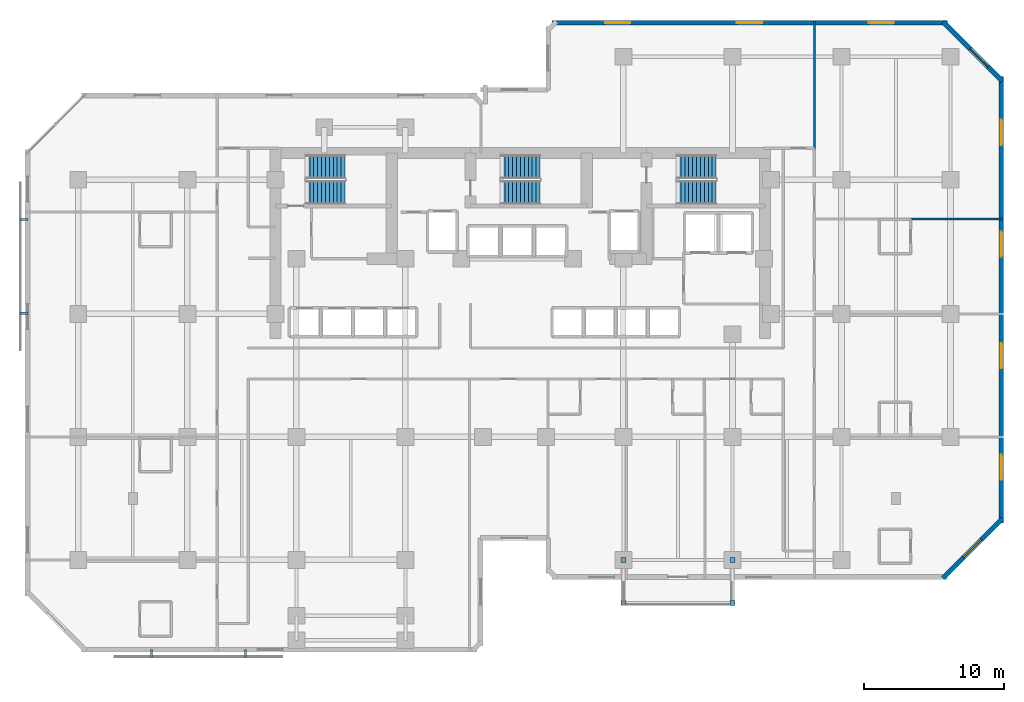
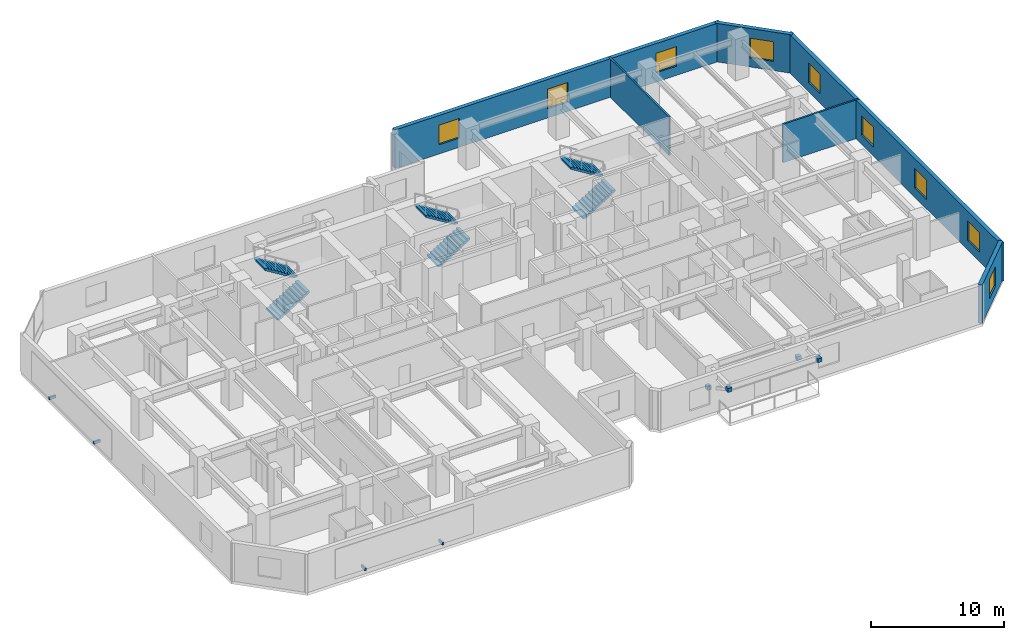
# One storey, part 10 of 12: 9 windows, 8 discrete accessories, 6 stair flights, 6 walls, 9 openings, 3 elements without a shape of their own.
"""IFC4 building model written with IfcOpenShell, lengths in metres."""

from ifc_helpers import new_model, si_unit, direction, frame, frame_2d, origin, origin_2d, place, context, subcontext, project, spatial, polyline, rectangle, outline, extrude, material, layer, layer_set, type_object, element, fill, aggregate, save


model = new_model("IFC4")

# Units and contexts
model_context = context("Model", 3, precision=1e-05, world=origin(), true_north=direction((0.0, 1.0)))
body_context = subcontext(model_context, "Body", "Model", "MODEL_VIEW")
ifc_project = project(units=[si_unit("LENGTHUNIT", "METRE"), si_unit("AREAUNIT", "SQUARE_METRE"), si_unit("VOLUMEUNIT", "CUBIC_METRE"), si_unit("PLANEANGLEUNIT", "RADIAN"), si_unit("MASSUNIT", "GRAM", prefix="KILO")], contexts=[model_context])

# Site, building, storey
site_placement = place(None, origin())
site = spatial("IfcSite", under=ifc_project, at=site_placement, CompositionType="ELEMENT")
building_placement = place(site_placement, origin())
building = spatial("IfcBuilding", under=site, at=building_placement, Name="Kestravale Grand Hotel", CompositionType="ELEMENT")
storey_placement = place(building_placement, frame((0.0, 0.0, 110.800048828125)))
storey = spatial("IfcBuildingStorey", under=building, at=storey_placement, Name="L27", CompositionType="ELEMENT", Elevation=110.800048828125)

# Wall, opening, window
ifc_material_1 = material(Name="Precast concrete f'c 45 MPa", Category="concrete")
ifc_layer_1 = layer(ifc_material_1, 0.340087890625)
ifc_layer_set_1 = layer_set([ifc_layer_1], Name="EW-PREC-340")
wall_type_1 = type_object("IfcWallType", Name="EW-PREC-340", PredefinedType="SOLIDWALL", material=ifc_layer_set_1)
wall_1_placement = place(storey_placement, frame((69.651611328125, 9.891845703125, 0.0), z_axis=(0.0, 0.0, 1.0), x_axis=(0.707106781187, 0.707106781187, 0.0)))
wall_1 = element("IfcWall", 1, at=wall_1_placement, inside=storey, type_object=wall_type_1, Name="L27 fluted precast facade wall 8", PredefinedType="SOLIDWALL", context=body_context, shape_type="SweptSolid", body=[
    extrude(rectangle(XDim=6.019775390625, YDim=0.340087890625, at=frame_2d((3.009765625, 0.0))), origin(), (0.0, 0.0, 1.0), 3.5400390625),
])
opening_1_placement = place(wall_1_placement, frame((2.10986328125, 0.0, 0.85009765625)))
opening_1 = element("IfcOpeningElement", 2, at=opening_1_placement, cuts=wall_1, Name="Opening W-GUEST-1800", PredefinedType="OPENING", context=body_context, shape_type="SweptSolid", body=[
    extrude(rectangle(XDim=1.800048828125, YDim=1.800048828125, at=frame_2d((0.89990234375, 0.89990234375))), frame((0.0, 0.179931640625, 0.0), z_axis=(0.0, -1.0, 0.0), x_axis=(1.0, 0.0, 0.0)), (0.0, 0.0, 1.0), 0.360107421875),
])
ifc_material_2 = material(Name="Insulated low-E double glazing in aluminium frame", Category="aluminium")
window_type = type_object("IfcWindowType", Name="W-GUEST-1800", PartitioningType="DOUBLE_PANEL_VERTICAL", PredefinedType="WINDOW", material=ifc_material_2)
window_1_placement = place(opening_1_placement, origin())
window_1 = element("IfcWindow", 3, at=window_1_placement, inside=storey, type_object=window_type, Name="L27 exterior window 8.1", OverallHeight=1.800048828125, OverallWidth=1.800048828125, PartitioningType="SINGLE_PANEL", PredefinedType="WINDOW", context=body_context, shape_type="SweptSolid", body=[
    extrude(rectangle(XDim=1.800048828125, YDim=1.800048828125, at=frame_2d((0.89990234375, 0.89990234375))), frame((0.0, 0.030029296875, 0.0), z_axis=(0.0, -1.0, 0.0), x_axis=(1.0, 0.0, 0.0)), (0.0, 0.0, 1.0), 0.06005859375),
])
fill(opening_1, window_1)

# Wall, openings, windows
wall_2_placement = place(storey_placement, frame((73.830078125, 13.830078125, 0.0), z_axis=(0.0, 0.0, 1.0), x_axis=(0.0, 1.0, 0.0)))
wall_2 = element("IfcWall", 4, at=wall_2_placement, inside=storey, type_object=wall_type_1, Name="L27 fluted precast facade wall 9", PredefinedType="SOLIDWALL", context=body_context, shape_type="SweptSolid", body=[
    extrude(rectangle(XDim=31.93994140625, YDim=0.340087890625, at=frame_2d((15.969970703125, 0.0))), origin(), (0.0, 0.0, 1.0), 3.5400390625),
])
opening_2_placement = place(wall_2_placement, frame((3.092529296875, 0.0, 0.85009765625)))
opening_2 = element("IfcOpeningElement", 5, at=opening_2_placement, cuts=wall_2, Name="Opening W-GUEST-1800", PredefinedType="OPENING", context=body_context, shape_type="SweptSolid", body=[
    extrude(rectangle(XDim=1.800048828125, YDim=1.800048828125, at=frame_2d((0.89990234375, 0.89990234375))), frame((0.0, 0.179931640625, 0.0), z_axis=(0.0, -1.0, 0.0), x_axis=(1.0, 0.0, 0.0)), (0.0, 0.0, 1.0), 0.360107421875),
])
opening_3_placement = place(wall_2_placement, frame((11.077392578125, 0.0, 0.85009765625)))
opening_3 = element("IfcOpeningElement", 6, at=opening_3_placement, cuts=wall_2, Name="Opening W-GUEST-1800", PredefinedType="OPENING", context=body_context, shape_type="SweptSolid", body=[
    extrude(rectangle(XDim=1.800048828125, YDim=1.800048828125, at=frame_2d((0.89990234375, 0.89990234375))), frame((0.0, 0.179931640625, 0.0), z_axis=(0.0, -1.0, 0.0), x_axis=(1.0, 0.0, 0.0)), (0.0, 0.0, 1.0), 0.360107421875),
])
opening_4_placement = place(wall_2_placement, frame((19.0625, 0.0, 0.85009765625)))
opening_4 = element("IfcOpeningElement", 7, at=opening_4_placement, cuts=wall_2, Name="Opening W-GUEST-1800", PredefinedType="OPENING", context=body_context, shape_type="SweptSolid", body=[
    extrude(rectangle(XDim=1.800048828125, YDim=1.800048828125, at=frame_2d((0.89990234375, 0.89990234375))), frame((0.0, 0.179931640625, 0.0), z_axis=(0.0, -1.0, 0.0), x_axis=(1.0, 0.0, 0.0)), (0.0, 0.0, 1.0), 0.360107421875),
])
opening_5_placement = place(wall_2_placement, frame((27.047607421875, 0.0, 0.85009765625)))
opening_5 = element("IfcOpeningElement", 8, at=opening_5_placement, cuts=wall_2, Name="Opening W-GUEST-1800", PredefinedType="OPENING", context=body_context, shape_type="SweptSolid", body=[
    extrude(rectangle(XDim=1.800048828125, YDim=1.800048828125, at=frame_2d((0.89990234375, 0.89990234375))), frame((0.0, 0.179931640625, 0.0), z_axis=(0.0, -1.0, 0.0), x_axis=(1.0, 0.0, 0.0)), (0.0, 0.0, 1.0), 0.360107421875),
])
window_2_placement = place(opening_2_placement, origin())
window_2 = element("IfcWindow", 9, at=window_2_placement, inside=storey, type_object=window_type, Name="L27 exterior window 9.1", OverallHeight=1.800048828125, OverallWidth=1.800048828125, PartitioningType="SINGLE_PANEL", PredefinedType="WINDOW", context=body_context, shape_type="SweptSolid", body=[
    extrude(rectangle(XDim=1.800048828125, YDim=1.800048828125, at=frame_2d((0.89990234375, 0.89990234375))), frame((0.0, 0.030029296875, 0.0), z_axis=(0.0, -1.0, 0.0), x_axis=(1.0, 0.0, 0.0)), (0.0, 0.0, 1.0), 0.06005859375),
])
fill(opening_2, window_2)
window_3_placement = place(opening_3_placement, origin())
window_3 = element("IfcWindow", 10, at=window_3_placement, inside=storey, type_object=window_type, Name="L27 exterior window 9.2", OverallHeight=1.800048828125, OverallWidth=1.800048828125, PartitioningType="SINGLE_PANEL", PredefinedType="WINDOW", context=body_context, shape_type="SweptSolid", body=[
    extrude(rectangle(XDim=1.800048828125, YDim=1.800048828125, at=frame_2d((0.89990234375, 0.89990234375))), frame((0.0, 0.030029296875, 0.0), z_axis=(0.0, -1.0, 0.0), x_axis=(1.0, 0.0, 0.0)), (0.0, 0.0, 1.0), 0.06005859375),
])
fill(opening_3, window_3)
window_4_placement = place(opening_4_placement, origin())
window_4 = element("IfcWindow", 11, at=window_4_placement, inside=storey, type_object=window_type, Name="L27 exterior window 9.3", OverallHeight=1.800048828125, OverallWidth=1.800048828125, PartitioningType="SINGLE_PANEL", PredefinedType="WINDOW", context=body_context, shape_type="SweptSolid", body=[
    extrude(rectangle(XDim=1.800048828125, YDim=1.800048828125, at=frame_2d((0.89990234375, 0.89990234375))), frame((0.0, 0.030029296875, 0.0), z_axis=(0.0, -1.0, 0.0), x_axis=(1.0, 0.0, 0.0)), (0.0, 0.0, 1.0), 0.06005859375),
])
fill(opening_4, window_4)
window_5_placement = place(opening_5_placement, origin())
window_5 = element("IfcWindow", 12, at=window_5_placement, inside=storey, type_object=window_type, Name="L27 exterior window 9.4", OverallHeight=1.800048828125, OverallWidth=1.800048828125, PartitioningType="SINGLE_PANEL", PredefinedType="WINDOW", context=body_context, shape_type="SweptSolid", body=[
    extrude(rectangle(XDim=1.800048828125, YDim=1.800048828125, at=frame_2d((0.89990234375, 0.89990234375))), frame((0.0, 0.030029296875, 0.0), z_axis=(0.0, -1.0, 0.0), x_axis=(1.0, 0.0, 0.0)), (0.0, 0.0, 1.0), 0.06005859375),
])
fill(opening_5, window_5)

# Wall, opening, window
wall_3_placement = place(storey_placement, frame((73.908203125, 45.451416015625, 0.0), z_axis=(0.0, 0.0, 1.0), x_axis=(-0.707106781187, 0.707106781187, 0.0)))
wall_3 = element("IfcWall", 13, at=wall_3_placement, inside=storey, type_object=wall_type_1, Name="L27 fluted precast facade wall 10", PredefinedType="SOLIDWALL", context=body_context, shape_type="SweptSolid", body=[
    extrude(rectangle(XDim=6.019775390625, YDim=0.340087890625, at=frame_2d((3.009765625, 0.0))), origin(), (0.0, 0.0, 1.0), 3.5400390625),
])
opening_6_placement = place(wall_3_placement, frame((1.4599609375, 0.0, 0.85009765625)))
opening_6 = element("IfcOpeningElement", 14, at=opening_6_placement, cuts=wall_3, Name="Opening W-GUEST-1800", PredefinedType="OPENING", context=body_context, shape_type="SweptSolid", body=[
    extrude(rectangle(XDim=1.800048828125, YDim=1.800048828125, at=frame_2d((0.89990234375, 0.89990234375))), frame((0.0, 0.179931640625, 0.0), z_axis=(0.0, -1.0, 0.0), x_axis=(1.0, 0.0, 0.0)), (0.0, 0.0, 1.0), 0.360107421875),
])
window_6_placement = place(opening_6_placement, origin())
window_6 = element("IfcWindow", 15, at=window_6_placement, inside=storey, type_object=window_type, Name="L27 exterior window 10.1", OverallHeight=1.800048828125, OverallWidth=1.800048828125, PartitioningType="SINGLE_PANEL", PredefinedType="WINDOW", context=body_context, shape_type="SweptSolid", body=[
    extrude(rectangle(XDim=1.800048828125, YDim=1.800048828125, at=frame_2d((0.89990234375, 0.89990234375))), frame((0.0, 0.030029296875, 0.0), z_axis=(0.0, -1.0, 0.0), x_axis=(1.0, 0.0, 0.0)), (0.0, 0.0, 1.0), 0.06005859375),
])
fill(opening_6, window_6)

# Wall, openings, windows
wall_4_placement = place(storey_placement, frame((69.969970703125, 49.6298828125, 0.0), z_axis=(0.0, 0.0, 1.0), x_axis=(-1.0, 0.0, 0.0)))
wall_4 = element("IfcWall", 16, at=wall_4_placement, inside=storey, type_object=wall_type_1, Name="L27 fluted precast facade wall 11", PredefinedType="SOLIDWALL", context=body_context, shape_type="SweptSolid", body=[
    extrude(rectangle(XDim=28.2900390625, YDim=0.340087890625, at=frame_2d((14.14501953125, 0.0))), origin(), (0.0, 0.0, 1.0), 3.5400390625),
])
opening_7_placement = place(wall_4_placement, frame((3.81494140625, 0.0, 0.85009765625)))
opening_7 = element("IfcOpeningElement", 17, at=opening_7_placement, cuts=wall_4, Name="Opening W-GUEST-1800", PredefinedType="OPENING", context=body_context, shape_type="SweptSolid", body=[
    extrude(rectangle(XDim=1.800048828125, YDim=1.800048828125, at=frame_2d((0.89990234375, 0.89990234375))), frame((0.0, 0.179931640625, 0.0), z_axis=(0.0, -1.0, 0.0), x_axis=(1.0, 0.0, 0.0)), (0.0, 0.0, 1.0), 0.360107421875),
])
opening_8_placement = place(wall_4_placement, frame((13.2451171875, 0.0, 0.85009765625)))
opening_8 = element("IfcOpeningElement", 18, at=opening_8_placement, cuts=wall_4, Name="Opening W-GUEST-1800", PredefinedType="OPENING", context=body_context, shape_type="SweptSolid", body=[
    extrude(rectangle(XDim=1.800048828125, YDim=1.800048828125, at=frame_2d((0.89990234375, 0.89990234375))), frame((0.0, 0.179931640625, 0.0), z_axis=(0.0, -1.0, 0.0), x_axis=(1.0, 0.0, 0.0)), (0.0, 0.0, 1.0), 0.360107421875),
])
opening_9_placement = place(wall_4_placement, frame((22.675048828125, 0.0, 0.85009765625)))
opening_9 = element("IfcOpeningElement", 19, at=opening_9_placement, cuts=wall_4, Name="Opening W-GUEST-1800", PredefinedType="OPENING", context=body_context, shape_type="SweptSolid", body=[
    extrude(rectangle(XDim=1.800048828125, YDim=1.800048828125, at=frame_2d((0.89990234375, 0.89990234375))), frame((0.0, 0.179931640625, 0.0), z_axis=(0.0, -1.0, 0.0), x_axis=(1.0, 0.0, 0.0)), (0.0, 0.0, 1.0), 0.360107421875),
])
window_7_placement = place(opening_7_placement, origin())
window_7 = element("IfcWindow", 20, at=window_7_placement, inside=storey, type_object=window_type, Name="L27 exterior window 11.1", OverallHeight=1.800048828125, OverallWidth=1.800048828125, PartitioningType="SINGLE_PANEL", PredefinedType="WINDOW", context=body_context, shape_type="SweptSolid", body=[
    extrude(rectangle(XDim=1.800048828125, YDim=1.800048828125, at=frame_2d((0.89990234375, 0.89990234375))), frame((0.0, 0.030029296875, 0.0), z_axis=(0.0, -1.0, 0.0), x_axis=(1.0, 0.0, 0.0)), (0.0, 0.0, 1.0), 0.06005859375),
])
fill(opening_7, window_7)
window_8_placement = place(opening_8_placement, origin())
window_8 = element("IfcWindow", 21, at=window_8_placement, inside=storey, type_object=window_type, Name="L27 exterior window 11.2", OverallHeight=1.800048828125, OverallWidth=1.800048828125, PartitioningType="SINGLE_PANEL", PredefinedType="WINDOW", context=body_context, shape_type="SweptSolid", body=[
    extrude(rectangle(XDim=1.800048828125, YDim=1.800048828125, at=frame_2d((0.89990234375, 0.89990234375))), frame((0.0, 0.030029296875, 0.0), z_axis=(0.0, -1.0, 0.0), x_axis=(1.0, 0.0, 0.0)), (0.0, 0.0, 1.0), 0.06005859375),
])
fill(opening_8, window_8)
window_9_placement = place(opening_9_placement, origin())
window_9 = element("IfcWindow", 22, at=window_9_placement, inside=storey, type_object=window_type, Name="L27 exterior window 11.3", OverallHeight=1.800048828125, OverallWidth=1.800048828125, PartitioningType="SINGLE_PANEL", PredefinedType="WINDOW", context=body_context, shape_type="SweptSolid", body=[
    extrude(rectangle(XDim=1.800048828125, YDim=1.800048828125, at=frame_2d((0.89990234375, 0.89990234375))), frame((0.0, 0.030029296875, 0.0), z_axis=(0.0, -1.0, 0.0), x_axis=(1.0, 0.0, 0.0)), (0.0, 0.0, 1.0), 0.06005859375),
])
fill(opening_9, window_9)

# Walls
ifc_material_3 = material(Name="Double-stud STC 52 acoustic demising partition", Category="other")
ifc_layer_2 = layer(ifc_material_3, 0.14990234375)
ifc_layer_set_2 = layer_set([ifc_layer_2], Name="IW-UNIT-150")
wall_type_2 = type_object("IfcWallType", Name="IW-UNIT-150", PredefinedType="PARTITIONING", material=ifc_layer_set_2)
wall_5_placement = place(storey_placement, frame((60.4599609375, 40.64990234375, 0.0), z_axis=(0.0, 0.0, 1.0), x_axis=(0.0, 1.0, 0.0)))
element("IfcWall", 23, at=wall_5_placement, inside=storey, type_object=wall_type_2, Name="W-L27-NGE-E", PredefinedType="PARTITIONING", context=body_context, shape_type="SweptSolid", body=[
    extrude(rectangle(XDim=9.130126953125, YDim=0.14990234375, at=frame_2d((4.56494140625, 0.0))), origin(), (0.0, 0.0, 1.0), 3.5400390625),
])
wall_6_placement = place(storey_placement, frame((67.35009765625, 35.60009765625, 0.0), z_axis=(0.0, 0.0, 1.0), x_axis=(1.0, 0.0, 0.0)))
element("IfcWall", 24, at=wall_6_placement, inside=storey, type_object=wall_type_2, Name="W-L27-EW-3", PredefinedType="PARTITIONING", context=body_context, shape_type="SweptSolid", body=[
    extrude(rectangle(XDim=6.6298828125, YDim=0.14990234375, at=frame_2d((3.31494140625, 0.0))), origin(), (0.0, 0.0, 1.0), 3.5400390625),
])

# Stair, stair flights
ifc_material_4 = material(Name="Concrete f'c 45 MPa", Category="concrete")
stair_type = type_object("IfcStairType", Name="ST-CORE-380", PredefinedType="HALF_TURN_STAIR", material=ifc_material_4)
stair_1_placement = place(storey_placement, origin())
stair_1 = element("IfcStair", 25, at=stair_1_placement, inside=storey, type_object=stair_type, Name="L27 ST-1", PredefinedType="HALF_TURN_STAIR")
ifc_material_5 = material(Name="Concrete f'c 45 MPa", Category="concrete")
stair_flight_type = type_object("IfcStairFlightType", Name="STF-CORE-380", PredefinedType="STRAIGHT", material=ifc_material_5)
stair_flight_1_placement = place(storey_placement, frame((24.080078125, 37.489990234375, 0.0), z_axis=(0.0, 0.0, 1.0), x_axis=(1.0, 0.0, 0.0)))
stair_flight_1 = element("IfcStairFlight", 26, at=stair_flight_1_placement, type_object=stair_flight_type, Name="ST-1 flight 1", NumberOfRisers=11, NumberOfTreads=10, PredefinedType="STRAIGHT", RiserHeight=0.172727273, TreadLength=0.28, context=body_context, shape_type="SweptSolid", body=[
    extrude(outline(polyline([(0.0, 0.0), (0.0, 0.172607421875), (0.280029296875, 0.172607421875), (0.280029296875, 0.345458984375), (0.56005859375, 0.345458984375), (0.56005859375, 0.51806640625), (0.840087890625, 0.51806640625), (0.840087890625, 0.69091796875), (1.1201171875, 0.69091796875), (1.1201171875, 0.863525390625), (1.39990234375, 0.863525390625), (1.39990234375, 1.036376953125), (1.679931640625, 1.036376953125), (1.679931640625, 1.208984375), (1.9599609375, 1.208984375), (1.9599609375, 1.3818359375), (2.239990234375, 1.3818359375), (2.239990234375, 1.554443359375), (2.52001953125, 1.554443359375), (2.52001953125, 1.727294921875), (2.800048828125, 1.727294921875), (2.800048828125, 1.89990234375), (2.800048828125, 1.551025390625), (0.285400390625, 0.0), (0.0, 0.0)])), frame((0.0, 0.83984375, 0.0), z_axis=(0.0, -1.0, 0.0), x_axis=(1.0, 0.0, 0.0)), (0.0, 0.0, 1.0), 1.679931640625),
])
stair_flight_2_placement = place(storey_placement, frame((26.8798828125, 39.320068359375, 1.89990234375), z_axis=(0.0, 0.0, 1.0), x_axis=(-1.0, 0.0, 0.0)))
stair_flight_2 = element("IfcStairFlight", 27, at=stair_flight_2_placement, type_object=stair_flight_type, Name="ST-1 flight 2", NumberOfRisers=11, NumberOfTreads=10, PredefinedType="STRAIGHT", RiserHeight=0.172727273, TreadLength=0.28, context=body_context, shape_type="SweptSolid", body=[
    extrude(outline(polyline([(0.0, 0.0), (0.0, 0.172607421875), (0.280029296875, 0.172607421875), (0.280029296875, 0.345458984375), (0.56005859375, 0.345458984375), (0.56005859375, 0.51806640625), (0.840087890625, 0.51806640625), (0.840087890625, 0.69091796875), (1.1201171875, 0.69091796875), (1.1201171875, 0.863525390625), (1.39990234375, 0.863525390625), (1.39990234375, 1.036376953125), (1.679931640625, 1.036376953125), (1.679931640625, 1.208984375), (1.9599609375, 1.208984375), (1.9599609375, 1.3818359375), (2.239990234375, 1.3818359375), (2.239990234375, 1.554443359375), (2.52001953125, 1.554443359375), (2.52001953125, 1.727294921875), (2.800048828125, 1.727294921875), (2.800048828125, 1.89990234375), (2.800048828125, 1.551025390625), (0.285400390625, 0.0), (0.0, 0.0)])), frame((0.0, 0.83984375, 0.0), z_axis=(0.0, -1.0, 0.0), x_axis=(1.0, 0.0, 0.0)), (0.0, 0.0, 1.0), 1.679931640625),
])
aggregate(stair_1, [stair_flight_1, stair_flight_2])

stair_2_placement = place(storey_placement, origin())
stair_2 = element("IfcStair", 28, at=stair_2_placement, inside=storey, type_object=stair_type, Name="L27 ST-2", PredefinedType="HALF_TURN_STAIR")
stair_flight_3_placement = place(storey_placement, frame((38.030029296875, 37.489990234375, 0.0), z_axis=(0.0, 0.0, 1.0), x_axis=(1.0, 0.0, 0.0)))
stair_flight_3 = element("IfcStairFlight", 29, at=stair_flight_3_placement, type_object=stair_flight_type, Name="ST-2 flight 1", NumberOfRisers=11, NumberOfTreads=10, PredefinedType="STRAIGHT", RiserHeight=0.172727273, TreadLength=0.28, context=body_context, shape_type="SweptSolid", body=[
    extrude(outline(polyline([(0.0, 0.0), (0.0, 0.172607421875), (0.280029296875, 0.172607421875), (0.280029296875, 0.345458984375), (0.56005859375, 0.345458984375), (0.56005859375, 0.51806640625), (0.840087890625, 0.51806640625), (0.840087890625, 0.69091796875), (1.1201171875, 0.69091796875), (1.1201171875, 0.863525390625), (1.39990234375, 0.863525390625), (1.39990234375, 1.036376953125), (1.679931640625, 1.036376953125), (1.679931640625, 1.208984375), (1.9599609375, 1.208984375), (1.9599609375, 1.3818359375), (2.239990234375, 1.3818359375), (2.239990234375, 1.554443359375), (2.52001953125, 1.554443359375), (2.52001953125, 1.727294921875), (2.800048828125, 1.727294921875), (2.800048828125, 1.89990234375), (2.800048828125, 1.551025390625), (0.285400390625, 0.0), (0.0, 0.0)])), frame((0.0, 0.83984375, 0.0), z_axis=(0.0, -1.0, 0.0), x_axis=(1.0, 0.0, 0.0)), (0.0, 0.0, 1.0), 1.679931640625),
])
stair_flight_4_placement = place(storey_placement, frame((40.830078125, 39.320068359375, 1.89990234375), z_axis=(0.0, 0.0, 1.0), x_axis=(-1.0, 0.0, 0.0)))
stair_flight_4 = element("IfcStairFlight", 30, at=stair_flight_4_placement, type_object=stair_flight_type, Name="ST-2 flight 2", NumberOfRisers=11, NumberOfTreads=10, PredefinedType="STRAIGHT", RiserHeight=0.172727273, TreadLength=0.28, context=body_context, shape_type="SweptSolid", body=[
    extrude(outline(polyline([(0.0, 0.0), (0.0, 0.172607421875), (0.280029296875, 0.172607421875), (0.280029296875, 0.345458984375), (0.56005859375, 0.345458984375), (0.56005859375, 0.51806640625), (0.840087890625, 0.51806640625), (0.840087890625, 0.69091796875), (1.1201171875, 0.69091796875), (1.1201171875, 0.863525390625), (1.39990234375, 0.863525390625), (1.39990234375, 1.036376953125), (1.679931640625, 1.036376953125), (1.679931640625, 1.208984375), (1.9599609375, 1.208984375), (1.9599609375, 1.3818359375), (2.239990234375, 1.3818359375), (2.239990234375, 1.554443359375), (2.52001953125, 1.554443359375), (2.52001953125, 1.727294921875), (2.800048828125, 1.727294921875), (2.800048828125, 1.89990234375), (2.800048828125, 1.551025390625), (0.285400390625, 0.0), (0.0, 0.0)])), frame((0.0, 0.83984375, 0.0), z_axis=(0.0, -1.0, 0.0), x_axis=(1.0, 0.0, 0.0)), (0.0, 0.0, 1.0), 1.679931640625),
])
aggregate(stair_2, [stair_flight_3, stair_flight_4])

stair_3_placement = place(storey_placement, origin())
stair_3 = element("IfcStair", 31, at=stair_3_placement, inside=storey, type_object=stair_type, Name="L27 ST-3", PredefinedType="HALF_TURN_STAIR")
stair_flight_5_placement = place(storey_placement, frame((50.6298828125, 37.489990234375, 0.0), z_axis=(0.0, 0.0, 1.0), x_axis=(1.0, 0.0, 0.0)))
stair_flight_5 = element("IfcStairFlight", 32, at=stair_flight_5_placement, type_object=stair_flight_type, Name="ST-3 flight 1", NumberOfRisers=11, NumberOfTreads=10, PredefinedType="STRAIGHT", RiserHeight=0.172727273, TreadLength=0.28, context=body_context, shape_type="SweptSolid", body=[
    extrude(outline(polyline([(0.0, 0.0), (0.0, 0.172607421875), (0.280029296875, 0.172607421875), (0.280029296875, 0.345458984375), (0.56005859375, 0.345458984375), (0.56005859375, 0.51806640625), (0.840087890625, 0.51806640625), (0.840087890625, 0.69091796875), (1.1201171875, 0.69091796875), (1.1201171875, 0.863525390625), (1.39990234375, 0.863525390625), (1.39990234375, 1.036376953125), (1.679931640625, 1.036376953125), (1.679931640625, 1.208984375), (1.9599609375, 1.208984375), (1.9599609375, 1.3818359375), (2.239990234375, 1.3818359375), (2.239990234375, 1.554443359375), (2.52001953125, 1.554443359375), (2.52001953125, 1.727294921875), (2.800048828125, 1.727294921875), (2.800048828125, 1.89990234375), (2.800048828125, 1.551025390625), (0.285400390625, 0.0), (0.0, 0.0)])), frame((0.0, 0.83984375, 0.0), z_axis=(0.0, -1.0, 0.0), x_axis=(1.0, 0.0, 0.0)), (0.0, 0.0, 1.0), 1.679931640625),
])
stair_flight_6_placement = place(storey_placement, frame((53.429931640625, 39.320068359375, 1.89990234375), z_axis=(0.0, 0.0, 1.0), x_axis=(-1.0, 0.0, 0.0)))
stair_flight_6 = element("IfcStairFlight", 33, at=stair_flight_6_placement, type_object=stair_flight_type, Name="ST-3 flight 2", NumberOfRisers=11, NumberOfTreads=10, PredefinedType="STRAIGHT", RiserHeight=0.172727273, TreadLength=0.28, context=body_context, shape_type="SweptSolid", body=[
    extrude(outline(polyline([(0.0, 0.0), (0.0, 0.172607421875), (0.280029296875, 0.172607421875), (0.280029296875, 0.345458984375), (0.56005859375, 0.345458984375), (0.56005859375, 0.51806640625), (0.840087890625, 0.51806640625), (0.840087890625, 0.69091796875), (1.1201171875, 0.69091796875), (1.1201171875, 0.863525390625), (1.39990234375, 0.863525390625), (1.39990234375, 1.036376953125), (1.679931640625, 1.036376953125), (1.679931640625, 1.208984375), (1.9599609375, 1.208984375), (1.9599609375, 1.3818359375), (2.239990234375, 1.3818359375), (2.239990234375, 1.554443359375), (2.52001953125, 1.554443359375), (2.52001953125, 1.727294921875), (2.800048828125, 1.727294921875), (2.800048828125, 1.89990234375), (2.800048828125, 1.551025390625), (0.285400390625, 0.0), (0.0, 0.0)])), frame((0.0, 0.83984375, 0.0), z_axis=(0.0, -1.0, 0.0), x_axis=(1.0, 0.0, 0.0)), (0.0, 0.0, 1.0), 1.679931640625),
])
aggregate(stair_3, [stair_flight_5, stair_flight_6])

# Discrete accessories
ifc_material_6 = material(Name="Steel ASTM A572 Grade 50 hot-dip galvanised bracket", Category="steel")
discrete_accessory_type = type_object("IfcDiscreteAccessoryType", Name="ACC-BRK-STL", PredefinedType="BRACKET", material=ifc_material_6)
for number, where, z_axis, x_axis, name in (
    (34, (46.800048828125, 11.199951171875, 1.19384765625), (0.0, 0.0, 1.0), (1.0, 0.0, 0.0), "L28 terrace strut column bracket 1"),
    (35, (46.800048828125, 8.10009765625, 2.89404296875), (0.0, 0.0, 1.0), (1.0, 0.0, 0.0), "L28 terrace strut beam bracket 1"),
    (36, (54.60009765625, 11.199951171875, 1.19384765625), (0.0, 0.0, 1.0), (1.0, 0.0, 0.0), "L28 terrace strut column bracket 2"),
    (37, (54.60009765625, 8.10009765625, 2.89404296875), (0.0, 0.0, 1.0), (1.0, 0.0, 0.0), "L28 terrace strut beam bracket 2"),
):
    element("IfcDiscreteAccessory", number, at=place(storey_placement, frame(where, z_axis=z_axis, x_axis=x_axis)), inside=storey, type_object=discrete_accessory_type, Name=name, PredefinedType="BRACKET", context=body_context, shape_type="SweptSolid", body=[
        extrude(rectangle(XDim=0.360107421875, YDim=0.360107421875, at=origin_2d()), origin(), (0.0, 0.0, 1.0), 0.360107421875),
    ])
for number, where, z_axis, x_axis, name in (
    (38, (13.0400390625, 4.5048828125, 0.56005859375), (0.0, 0.0, 1.0), (1.0, 0.0, 0.0), "L27 solar screen standoff bracket 1"),
    (39, (19.760009765625, 4.5048828125, 0.56005859375), (0.0, 0.0, 1.0), (1.0, 0.0, 0.0), "L27 solar screen standoff bracket 2"),
    (40, (3.905029296875, 35.56005859375, 0.56005859375), (0.0, 0.0, 1.0), (0.0, -1.0, 0.0), "L27 solar screen standoff bracket 1"),
    (41, (3.905029296875, 28.840087890625, 0.56005859375), (0.0, 0.0, 1.0), (0.0, -1.0, 0.0), "L27 solar screen standoff bracket 2"),
):
    element("IfcDiscreteAccessory", number, at=place(storey_placement, frame(where, z_axis=z_axis, x_axis=x_axis)), inside=storey, type_object=discrete_accessory_type, Name=name, PredefinedType="BRACKET", context=body_context, shape_type="SweptSolid", body=[
        extrude(rectangle(XDim=0.159912109375, YDim=0.56005859375, at=origin_2d()), origin(), (0.0, 0.0, 1.0), 0.239990234375),
    ])

save(model, "model.ifc")
